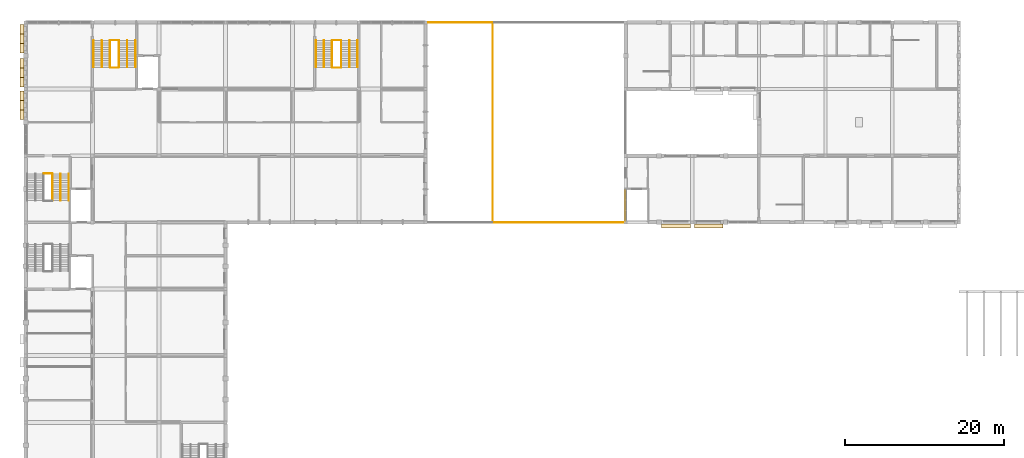
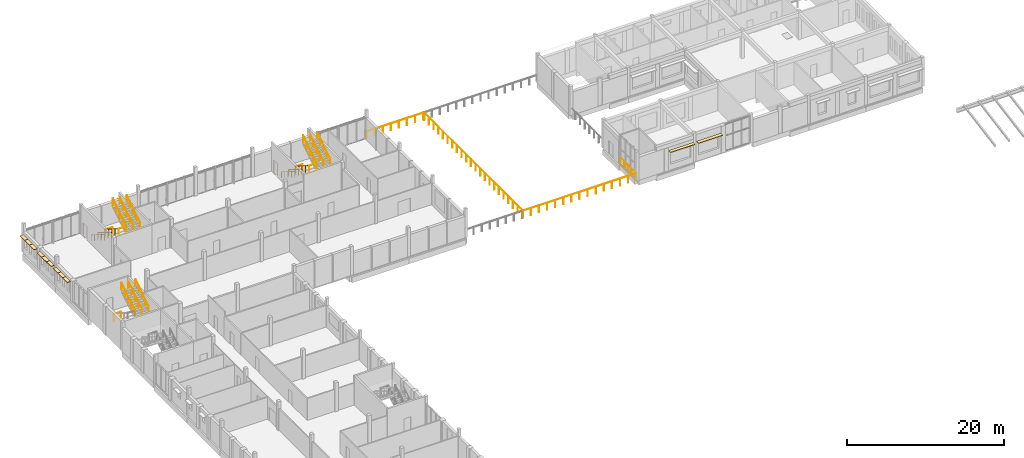
# One storey, part 29 of 30: 24 railings, 11 coverings.
"""IFC4 building model written with IfcOpenShell, lengths in metres."""

import ifcopenshell
import ifcopenshell.guid

model = None  # the IFC model being written
_history = None  # IfcOwnerHistory: only IFC2X3 demands one
_inside = {}  # id of a spatial element -> (the spatial element, [elements in it])
_under = {}  # id of a project, library or spatial element -> (it, [spatial elements below it])
_declared = {}  # id of a project -> (the project, [libraries it declares])
_typed = {}  # id of a type object -> (the type object, [elements of that type])
_made_of = {}  # id of a material, layer set ... -> (it, [elements and type objects made of it])


def new_model(schema):
    """Start an empty IFC model of exactly this schema.

    Asked for "IFC4X3", IfcOpenShell would pick the latest addendum, in which some entities
    have other attributes; the version numbers below select the first issue.
    IFC2X3 requires an IfcOwnerHistory on every rooted entity: one is made here for all.
    """
    global model, _history
    if schema == "IFC4X3":
        model = ifcopenshell.file(schema_version=(4, 3, 0, 0))
    else:
        model = ifcopenshell.file(schema=schema)
    _inside.clear()
    _under.clear()
    _declared.clear()
    _typed.clear()
    _made_of.clear()
    _history = None
    if model.schema == "IFC2X3":
        org = make("IfcOrganization", Name="unknown")
        user = make(
            "IfcPersonAndOrganization",
            ThePerson=make("IfcPerson", FamilyName="unknown"),
            TheOrganization=org,
        )
        app = make(
            "IfcApplication",
            ApplicationDeveloper=org,
            Version="unknown",
            ApplicationFullName="unknown",
            ApplicationIdentifier="unknown",
        )
        _history = make(
            "IfcOwnerHistory",
            OwningUser=user,
            OwningApplication=app,
            ChangeAction="ADDED",
            CreationDate=0,
        )
    return model


def make(cls, **values):
    """One entity of the class cls with the attributes given. An attribute that is None is left unset."""
    return model.create_entity(
        cls, **{name: value for name, value in values.items() if value is not None}
    )


def rooted(cls, **values):
    """An entity with a GlobalId (a new one), such as an element, a storey or a relation."""
    return make(cls, GlobalId=ifcopenshell.guid.new(), OwnerHistory=_history, **values)


def si_unit(unit_type, name, prefix=None):
    """IfcSIUnit, for example si_unit("LENGTHUNIT", "METRE", prefix="MILLI")."""
    return make("IfcSIUnit", UnitType=unit_type, Prefix=prefix, Name=name)


def assignment(units):
    """IfcUnitAssignment: the units of a project."""
    return None if units is None else make("IfcUnitAssignment", Units=units)


def point(xyz):
    """IfcCartesianPoint."""
    return None if xyz is None else make("IfcCartesianPoint", Coordinates=xyz)


def direction(xyz):
    """IfcDirection."""
    return None if xyz is None else make("IfcDirection", DirectionRatios=xyz)


def frame(location, z_axis=None, x_axis=None):
    """IfcAxis2Placement3D, a coordinate frame: its origin and axes. An axis left out is left unset."""
    return make(
        "IfcAxis2Placement3D",
        Location=point(location),
        Axis=direction(z_axis),
        RefDirection=direction(x_axis),
    )


def frame_2d(location, x_axis=None):
    """IfcAxis2Placement2D, a coordinate frame in the plane: its origin and x axis."""
    return make(
        "IfcAxis2Placement2D", Location=point(location), RefDirection=direction(x_axis)
    )


def origin():
    """The frame at (0, 0, 0) with its axes left unset."""
    return frame((0.0, 0.0, 0.0))


def origin_2d():
    """The frame at (0, 0) in the plane with its x axis left unset."""
    return frame_2d((0.0, 0.0))


def place(relative_to, where):
    """IfcLocalPlacement: puts the frame where relative to a parent placement (None: the world)."""
    return make(
        "IfcLocalPlacement", PlacementRelTo=relative_to, RelativePlacement=where
    )


def context(
    kind, dimensions, precision=None, world=None, true_north=None, identifier=None
):
    """IfcGeometricRepresentationContext, for example the 3D "Model" context."""
    return make(
        "IfcGeometricRepresentationContext",
        ContextIdentifier=identifier,
        ContextType=kind,
        CoordinateSpaceDimension=dimensions,
        Precision=precision,
        WorldCoordinateSystem=world,
        TrueNorth=true_north,
    )


def subcontext(parent, identifier, kind, view, scale=None):
    """IfcGeometricRepresentationSubContext, for example "Body" below "Model"."""
    return make(
        "IfcGeometricRepresentationSubContext",
        ContextIdentifier=identifier,
        ContextType=kind,
        ParentContext=parent,
        TargetScale=scale,
        TargetView=view,
    )


def project(units=None, contexts=None):
    """IfcProject with its units and contexts."""
    return rooted(
        "IfcProject",
        Name="project",
        RepresentationContexts=contexts,
        UnitsInContext=assignment(units),
    )


def spatial(cls, under=None, at=None, **own):
    """A site, building, storey or space (cls), placed at a placement, below another one or the project."""
    s = rooted(cls, ObjectPlacement=at, **own)
    if under is not None:
        _under.setdefault(under.id(), (under, []))[1].append(s)
    return s


def profile(cls, at=None, kind="AREA", **sizes):
    """A parametric profile (cls). Its sizes go by their IFC names, for example OverallWidth=200.0."""
    return make(cls, ProfileType=kind, Position=at, **sizes)


def rectangle(**sizes):
    """IfcRectangleProfileDef."""
    return profile("IfcRectangleProfileDef", **sizes)


def circle(**sizes):
    """IfcCircleProfileDef."""
    return profile("IfcCircleProfileDef", **sizes)


def extrude(swept, where, along, depth):
    """IfcExtrudedAreaSolid: the profile swept, set in the frame where, extruded along a direction by depth."""
    return make(
        "IfcExtrudedAreaSolid",
        SweptArea=swept,
        Position=where,
        ExtrudedDirection=direction(along),
        Depth=depth,
    )


def shape(context_of_items, identifier, shape_type, items):
    """IfcShapeRepresentation: the items that make up one representation, for example the "Body"."""
    return make(
        "IfcShapeRepresentation",
        ContextOfItems=context_of_items,
        RepresentationIdentifier=identifier,
        RepresentationType=shape_type,
        Items=items,
    )


def material(Name=None, Category=None):
    """IfcMaterial."""
    return make("IfcMaterial", Name=Name, Category=Category)


def layer(
    of_material, thickness, ventilated=None, Name=None, Category=None, Priority=None
):
    """IfcMaterialLayer: one layer of a wall or slab, of a material (None: an air gap)."""
    return make(
        "IfcMaterialLayer",
        Material=of_material,
        LayerThickness=thickness,
        IsVentilated=ventilated,
        Name=Name,
        Category=Category,
        Priority=Priority,
    )


def layer_set(layers, Name=None):
    """IfcMaterialLayerSet."""
    return make("IfcMaterialLayerSet", MaterialLayers=layers, LayerSetName=Name)


def made_of(thing, what):
    """Note that an element or type object is made of a material, layer set ...; save() writes the relation."""
    if what is not None:
        _made_of.setdefault(what.id(), (what, []))[1].append(thing)
    return thing


def type_object(cls, material=None, **own):
    """A type object (cls), such as IfcWallType, which elements share."""
    return made_of(rooted(cls, **own), material)


def element(
    cls,
    number,
    at=None,
    inside=None,
    cuts=None,
    type_object=None,
    material=None,
    context=None,
    identifier="Body",
    shape_type=None,
    held_by="IfcProductDefinitionShape",
    body=None,
    shapes=None,
    **own,
):
    """One element of the class cls, such as IfcWall. Its Tag is "e" and its number.

    at: its placement. inside: the storey or other place that contains it. cuts: it is an
    opening in that element (IfcRelVoidsElement). A single representation is given by context,
    identifier, shape_type and body (its items); several are given by shapes. held_by: the class
    of the entity that holds the representations. save() writes the other relations.
    """
    e = rooted(cls, Tag="e%d" % number, ObjectPlacement=at, **own)
    if body is not None:
        shapes = [shape(context, identifier, shape_type, body)]
    if shapes is not None:
        e.Representation = make(held_by, Representations=shapes)
    if inside is not None:
        _inside.setdefault(inside.id(), (inside, []))[1].append(e)
    if cuts is not None:
        rooted(
            "IfcRelVoidsElement", RelatingBuildingElement=cuts, RelatedOpeningElement=e
        )
    if type_object is not None:
        _typed.setdefault(type_object.id(), (type_object, []))[1].append(e)
    return made_of(e, material)


def aggregate(whole, parts):
    """IfcRelAggregates: a whole, such as a stair, and the parts it consists of."""
    return rooted("IfcRelAggregates", RelatingObject=whole, RelatedObjects=parts)


def save(model, path):
    """Write the relations noted so far, then the file.

    IfcRelAggregates (storeys below a building ...), IfcRelContainedInSpatialStructure (elements
    in a storey), IfcRelDefinesByType, IfcRelAssociatesMaterial and IfcRelDeclares: one each for
    every whole, place, type object, material and project.
    """
    for whole, parts in _under.values():
        aggregate(whole, parts)
    for where, things in _inside.values():
        rooted(
            "IfcRelContainedInSpatialStructure",
            RelatedElements=things,
            RelatingStructure=where,
        )
    for kind, things in _typed.values():
        rooted("IfcRelDefinesByType", RelatedObjects=things, RelatingType=kind)
    for what, things in _made_of.values():
        rooted("IfcRelAssociatesMaterial", RelatedObjects=things, RelatingMaterial=what)
    for by, libraries in _declared.values():
        rooted("IfcRelDeclares", RelatingContext=by, RelatedDefinitions=libraries)
    model.write(path)


model = new_model("IFC4")

# Units and contexts
model_context = context("Model", 3, precision=1e-05, world=origin(), true_north=direction((0.0, 1.0)))
body_context = subcontext(model_context, "Body", "Model", "MODEL_VIEW")
ifc_project = project(units=[si_unit("LENGTHUNIT", "METRE"), si_unit("AREAUNIT", "SQUARE_METRE"), si_unit("VOLUMEUNIT", "CUBIC_METRE"), si_unit("PLANEANGLEUNIT", "RADIAN"), si_unit("MASSUNIT", "GRAM", prefix="KILO")], contexts=[model_context])

# Site, building, storey
site_placement = place(None, origin())
site = spatial("IfcSite", under=ifc_project, at=site_placement, CompositionType="ELEMENT")
building_placement = place(site_placement, origin())
building = spatial("IfcBuilding", under=site, at=building_placement, Name="Fescue Hill Polytechnic", CompositionType="ELEMENT")
storey_placement = place(building_placement, frame((0.0, 0.0, 22.5)))
storey = spatial("IfcBuildingStorey", under=building, at=storey_placement, Name="L05", CompositionType="ELEMENT", Elevation=22.5)

# Railings
ifc_material_1 = material(Name="Steel 350W (350 MPa)", Category="steel")
railing_type_1 = type_object("IfcRailingType", Name="Guard steel posts and rail 1100", PredefinedType="GUARDRAIL", material=ifc_material_1)
railing_1_placement = place(storey_placement, frame((50.449951171875, 134.39990234375, 0.0)))
element("IfcRailing", 1, at=railing_1_placement, inside=storey, type_object=railing_type_1, Name="GU-L05-V5-2", PredefinedType="GUARDRAIL", context=body_context, shape_type="SweptSolid", body=[
    extrude(circle(Radius=0.02392578125, at=origin_2d()), frame((0.0, 0.0, 1.076171875), z_axis=(1.0, 0.0, 0.0), x_axis=(0.0, 1.0, 0.0)), (0.0, 0.0, 1.0), 8.300048828125),
    extrude(circle(Radius=0.02099609375, at=origin_2d()), origin(), (0.0, 0.0, 1.0), 1.052001953125),
    extrude(circle(Radius=0.02099609375, at=origin_2d()), frame((1.185791015625, 0.0, 0.0)), (0.0, 0.0, 1.0), 1.052001953125),
    extrude(circle(Radius=0.02099609375, at=origin_2d()), frame((2.371337890625, 0.0, 0.0)), (0.0, 0.0, 1.0), 1.052001953125),
    extrude(circle(Radius=0.02099609375, at=origin_2d()), frame((3.55712890625, 0.0, 0.0)), (0.0, 0.0, 1.0), 1.052001953125),
    extrude(circle(Radius=0.02099609375, at=origin_2d()), frame((4.742919921875, 0.0, 0.0)), (0.0, 0.0, 1.0), 1.052001953125),
    extrude(circle(Radius=0.02099609375, at=origin_2d()), frame((5.9287109375, 0.0, 0.0)), (0.0, 0.0, 1.0), 1.052001953125),
    extrude(circle(Radius=0.02099609375, at=origin_2d()), frame((7.1142578125, 0.0, 0.0)), (0.0, 0.0, 1.0), 1.052001953125),
    extrude(circle(Radius=0.02099609375, at=origin_2d()), frame((8.300048828125, 0.0, 0.0)), (0.0, 0.0, 1.0), 1.052001953125),
])
railing_2_placement = place(storey_placement, frame((75.550048828125, 109.199951171875, 0.0)))
element("IfcRailing", 2, at=railing_2_placement, inside=storey, type_object=railing_type_1, Name="GU-L05-V4b-2", PredefinedType="GUARDRAIL", context=body_context, shape_type="SweptSolid", body=[
    extrude(circle(Radius=0.02392578125, at=origin_2d()), frame((0.0, 0.0, 1.076171875), z_axis=(-1.0, 0.0, 0.0), x_axis=(0.0, -1.0, 0.0)), (0.0, 0.0, 1.0), 16.699951171875),
    extrude(circle(Radius=0.02099609375, at=origin_2d()), origin(), (0.0, 0.0, 1.0), 1.052001953125),
    extrude(circle(Radius=0.02099609375, at=origin_2d()), frame((-1.19287109375, 0.0, 0.0)), (0.0, 0.0, 1.0), 1.052001953125),
    extrude(circle(Radius=0.02099609375, at=origin_2d()), frame((-2.3857421875, 0.0, 0.0)), (0.0, 0.0, 1.0), 1.052001953125),
    extrude(circle(Radius=0.02099609375, at=origin_2d()), frame((-3.57861328125, 0.0, 0.0)), (0.0, 0.0, 1.0), 1.052001953125),
    extrude(circle(Radius=0.02099609375, at=origin_2d()), frame((-4.771484375, 0.0, 0.0)), (0.0, 0.0, 1.0), 1.052001953125),
    extrude(circle(Radius=0.02099609375, at=origin_2d()), frame((-5.96435546875, 0.0, 0.0)), (0.0, 0.0, 1.0), 1.052001953125),
    extrude(circle(Radius=0.02099609375, at=origin_2d()), frame((-7.1572265625, 0.0, 0.0)), (0.0, 0.0, 1.0), 1.052001953125),
    extrude(circle(Radius=0.02099609375, at=origin_2d()), frame((-8.35009765625, 0.0, 0.0)), (0.0, 0.0, 1.0), 1.052001953125),
    extrude(circle(Radius=0.02099609375, at=origin_2d()), frame((-9.542724609375, 0.0, 0.0)), (0.0, 0.0, 1.0), 1.052001953125),
    extrude(circle(Radius=0.02099609375, at=origin_2d()), frame((-10.735595703125, 0.0, 0.0)), (0.0, 0.0, 1.0), 1.052001953125),
    extrude(circle(Radius=0.02099609375, at=origin_2d()), frame((-11.928466796875, 0.0, 0.0)), (0.0, 0.0, 1.0), 1.052001953125),
    extrude(circle(Radius=0.02099609375, at=origin_2d()), frame((-13.121337890625, 0.0, 0.0)), (0.0, 0.0, 1.0), 1.052001953125),
    extrude(circle(Radius=0.02099609375, at=origin_2d()), frame((-14.314208984375, 0.0, 0.0)), (0.0, 0.0, 1.0), 1.052001953125),
    extrude(circle(Radius=0.02099609375, at=origin_2d()), frame((-15.507080078125, 0.0, 0.0)), (0.0, 0.0, 1.0), 1.052001953125),
    extrude(circle(Radius=0.02099609375, at=origin_2d()), frame((-16.699951171875, 0.0, 0.0)), (0.0, 0.0, 1.0), 1.052001953125),
])

# Coverings
ifc_material_2 = material(Name="Precast concrete C40/50", Category="concrete")
ifc_layer = layer(ifc_material_2, 0.080078125)
ifc_layer_set = layer_set([ifc_layer], Name="Precast concrete C40/50")
covering_type = type_object("IfcCoveringType", Name="Shade blade precast 500x80", PredefinedType="CLADDING", material=ifc_layer_set)
for number, where, z_axis, x_axis, name in (
    (3, (-0.4599609375, 133.550048828125, 2.849853515625), (0.0, 0.0, 1.0), (0.0, -1.0, 0.0), "SB-L05-V5-1"),
    (4, (-0.4599609375, 132.35009765625, 2.849853515625), (0.0, 0.0, 1.0), (0.0, -1.0, 0.0), "SB-L05-V5-2"),
    (5, (-0.4599609375, 131.14990234375, 2.849853515625), (0.0, 0.0, 1.0), (0.0, -1.0, 0.0), "SB-L05-V5-3"),
    (6, (-0.4599609375, 129.25, 2.849853515625), (0.0, 0.0, 1.0), (0.0, -1.0, 0.0), "SB-L05-V5-4"),
    (7, (-0.4599609375, 128.050048828125, 2.849853515625), (0.0, 0.0, 1.0), (0.0, -1.0, 0.0), "SB-L05-V5-5"),
    (8, (-0.4599609375, 126.85009765625, 2.849853515625), (0.0, 0.0, 1.0), (0.0, -1.0, 0.0), "SB-L05-V5-6"),
    (9, (-0.4599609375, 125.14990234375, 2.849853515625), (0.0, 0.0, 1.0), (0.0, -1.0, 0.0), "SB-L05-V5-7"),
    (10, (-0.4599609375, 123.949951171875, 2.849853515625), (0.0, 0.0, 1.0), (0.0, -1.0, 0.0), "SB-L05-V5-8"),
    (11, (-0.4599609375, 122.75, 2.849853515625), (0.0, 0.0, 1.0), (0.0, -1.0, 0.0), "SB-L05-V5-9"),
):
    element("IfcCovering", number, at=place(storey_placement, frame(where, z_axis=z_axis, x_axis=x_axis)), inside=storey, type_object=covering_type, Name=name, PredefinedType="CLADDING", context=body_context, shape_type="SweptSolid", body=[
        extrude(rectangle(XDim=1.199951171875, YDim=0.5, at=origin_2d()), origin(), (0.0, 0.0, 1.0), 0.080078125),
    ])
for number, where, z_axis, x_axis, name in (
    (12, (81.949951171875, 108.72509765625, 3.050048828125), (0.0, 0.0, 1.0), (1.0, 0.0, 0.0), "SB-L05-V4b-4"),
    (13, (86.050048828125, 108.72509765625, 3.050048828125), (0.0, 0.0, 1.0), (1.0, 0.0, 0.0), "SB-L05-V4b-5"),
):
    element("IfcCovering", number, at=place(storey_placement, frame(where, z_axis=z_axis, x_axis=x_axis)), inside=storey, type_object=covering_type, Name=name, PredefinedType="CLADDING", context=body_context, shape_type="SweptSolid", body=[
        extrude(rectangle(XDim=3.60009765625, YDim=0.5, at=origin_2d()), origin(), (0.0, 0.0, 1.0), 0.080078125),
    ])

# Railings
railing_type_2 = type_object("IfcRailingType", Name="Stair guard steel 1100", PredefinedType="GUARDRAIL", material=ifc_material_1)
railing_3_placement = place(storey_placement, frame((3.375, 111.965087890625, 2.423095703125)))
element("IfcRailing", 14, at=railing_3_placement, inside=storey, type_object=railing_type_2, Name="L05 ST-V5-1 stair guard 3", PredefinedType="GUARDRAIL", context=body_context, shape_type="SweptSolid", body=[
    extrude(circle(Radius=0.02392578125, at=origin_2d()), frame((0.0, 0.0, 1.076171875), z_axis=(0.0, 0.850606129759, 0.525803396734), x_axis=(-1.0, 0.0, 0.0)), (0.0, 0.0, 1.0), 3.949951171875),
    extrude(circle(Radius=0.02099609375, at=origin_2d()), origin(), (0.0, 0.0, 1.0), 1.052001953125),
    extrude(circle(Radius=0.02099609375, at=origin_2d()), frame((0.0, 0.83984375, 0.519287109375)), (0.0, 0.0, 1.0), 1.052001953125),
    extrude(circle(Radius=0.02099609375, at=origin_2d()), frame((0.0, 1.679931640625, 1.03857421875)), (0.0, 0.0, 1.0), 1.052001953125),
    extrude(circle(Radius=0.02099609375, at=origin_2d()), frame((0.0, 2.52001953125, 1.5576171875)), (0.0, 0.0, 1.0), 1.052001953125),
    extrude(circle(Radius=0.02099609375, at=origin_2d()), frame((0.0, 3.35986328125, 2.076904296875)), (0.0, 0.0, 1.0), 1.052001953125),
])
railing_4_placement = place(storey_placement, frame((2.300048828125, 115.375, 0.0)))
element("IfcRailing", 15, at=railing_4_placement, inside=storey, type_object=railing_type_2, Name="L05 ST-V5-1 stair guard 4", PredefinedType="GUARDRAIL", context=body_context, shape_type="SweptSolid", body=[
    extrude(circle(Radius=0.02392578125, at=origin_2d()), frame((0.0, 0.0, 1.076171875), z_axis=(1.0, 0.0, 0.0), x_axis=(0.0, 1.0, 0.0)), (0.0, 0.0, 1.0), 1.02490234375),
    extrude(circle(Radius=0.02099609375, at=origin_2d()), origin(), (0.0, 0.0, 1.0), 1.052001953125),
    extrude(circle(Radius=0.02099609375, at=origin_2d()), frame((1.02490234375, 0.0, 0.0)), (0.0, 0.0, 1.0), 1.052001953125),
])
railing_5_placement = place(storey_placement, frame((38.625, 132.10009765625, 0.173095703125)))
element("IfcRailing", 16, at=railing_5_placement, inside=storey, type_object=railing_type_2, Name="L05 ST-V5-2 stair guard 1", PredefinedType="GUARDRAIL", context=body_context, shape_type="SweptSolid", body=[
    extrude(circle(Radius=0.02392578125, at=origin_2d()), frame((0.0, 0.0, 1.076171875), z_axis=(0.0, -0.850623216509, 0.525775754039), x_axis=(1.0, 0.0, 0.0)), (0.0, 0.0, 1.0), 3.9501953125),
    extrude(circle(Radius=0.02099609375, at=origin_2d()), origin(), (0.0, 0.0, 1.0), 1.052001953125),
    extrude(circle(Radius=0.02099609375, at=origin_2d()), frame((0.0, -0.840087890625, 0.519287109375)), (0.0, 0.0, 1.0), 1.052001953125),
    extrude(circle(Radius=0.02099609375, at=origin_2d()), frame((0.0, -1.68017578125, 1.03857421875)), (0.0, 0.0, 1.0), 1.052001953125),
    extrude(circle(Radius=0.02099609375, at=origin_2d()), frame((0.0, -2.52001953125, 1.5576171875)), (0.0, 0.0, 1.0), 1.052001953125),
    extrude(circle(Radius=0.02099609375, at=origin_2d()), frame((0.0, -3.360107421875, 2.076904296875)), (0.0, 0.0, 1.0), 1.052001953125),
])
railing_6_placement = place(storey_placement, frame((38.675048828125, 128.68994140625, 2.25)))
element("IfcRailing", 17, at=railing_6_placement, inside=storey, type_object=railing_type_2, Name="L05 ST-V5-2 stair guard 2", PredefinedType="GUARDRAIL", context=body_context, shape_type="SweptSolid", body=[
    extrude(circle(Radius=0.02392578125, at=origin_2d()), frame((0.0, 0.0, 1.076171875), z_axis=(1.0, 0.0, 0.0), x_axis=(0.0, 1.0, 0.0)), (0.0, 0.0, 1.0), 1.050048828125),
    extrude(circle(Radius=0.02099609375, at=origin_2d()), origin(), (0.0, 0.0, 1.0), 1.052001953125),
    extrude(circle(Radius=0.02099609375, at=origin_2d()), frame((1.050048828125, 0.0, 0.0)), (0.0, 0.0, 1.0), 1.052001953125),
])
railing_7_placement = place(storey_placement, frame((39.77490234375, 128.739990234375, 2.423095703125)))
element("IfcRailing", 18, at=railing_7_placement, inside=storey, type_object=railing_type_2, Name="L05 ST-V5-2 stair guard 3", PredefinedType="GUARDRAIL", context=body_context, shape_type="SweptSolid", body=[
    extrude(circle(Radius=0.02392578125, at=origin_2d()), frame((0.0, 0.0, 1.076171875), z_axis=(0.0, 0.850623216509, 0.525775754039), x_axis=(-1.0, 0.0, 0.0)), (0.0, 0.0, 1.0), 3.9501953125),
    extrude(circle(Radius=0.02099609375, at=origin_2d()), origin(), (0.0, 0.0, 1.0), 1.052001953125),
    extrude(circle(Radius=0.02099609375, at=origin_2d()), frame((0.0, 0.840087890625, 0.519287109375)), (0.0, 0.0, 1.0), 1.052001953125),
    extrude(circle(Radius=0.02099609375, at=origin_2d()), frame((0.0, 1.68017578125, 1.03857421875)), (0.0, 0.0, 1.0), 1.052001953125),
    extrude(circle(Radius=0.02099609375, at=origin_2d()), frame((0.0, 2.52001953125, 1.5576171875)), (0.0, 0.0, 1.0), 1.052001953125),
    extrude(circle(Radius=0.02099609375, at=origin_2d()), frame((0.0, 3.360107421875, 2.076904296875)), (0.0, 0.0, 1.0), 1.052001953125),
])
railing_8_placement = place(storey_placement, frame((38.675048828125, 132.14990234375, 0.0)))
element("IfcRailing", 19, at=railing_8_placement, inside=storey, type_object=railing_type_2, Name="L05 ST-V5-2 stair guard 4", PredefinedType="GUARDRAIL", context=body_context, shape_type="SweptSolid", body=[
    extrude(circle(Radius=0.02392578125, at=origin_2d()), frame((0.0, 0.0, 1.076171875), z_axis=(1.0, 0.0, 0.0), x_axis=(0.0, 1.0, 0.0)), (0.0, 0.0, 1.0), 1.050048828125),
    extrude(circle(Radius=0.02099609375, at=origin_2d()), origin(), (0.0, 0.0, 1.0), 1.052001953125),
    extrude(circle(Radius=0.02099609375, at=origin_2d()), frame((1.050048828125, 0.0, 0.0)), (0.0, 0.0, 1.0), 1.052001953125),
])
railing_9_placement = place(storey_placement, frame((10.625, 132.10009765625, 0.173095703125)))
element("IfcRailing", 20, at=railing_9_placement, inside=storey, type_object=railing_type_2, Name="L05 ST-V5-3 stair guard 1", PredefinedType="GUARDRAIL", context=body_context, shape_type="SweptSolid", body=[
    extrude(circle(Radius=0.02392578125, at=origin_2d()), frame((0.0, 0.0, 1.076171875), z_axis=(0.0, -0.850623216509, 0.525775754039), x_axis=(1.0, 0.0, 0.0)), (0.0, 0.0, 1.0), 3.9501953125),
    extrude(circle(Radius=0.02099609375, at=origin_2d()), origin(), (0.0, 0.0, 1.0), 1.052001953125),
    extrude(circle(Radius=0.02099609375, at=origin_2d()), frame((0.0, -0.840087890625, 0.519287109375)), (0.0, 0.0, 1.0), 1.052001953125),
    extrude(circle(Radius=0.02099609375, at=origin_2d()), frame((0.0, -1.68017578125, 1.03857421875)), (0.0, 0.0, 1.0), 1.052001953125),
    extrude(circle(Radius=0.02099609375, at=origin_2d()), frame((0.0, -2.52001953125, 1.5576171875)), (0.0, 0.0, 1.0), 1.052001953125),
    extrude(circle(Radius=0.02099609375, at=origin_2d()), frame((0.0, -3.360107421875, 2.076904296875)), (0.0, 0.0, 1.0), 1.052001953125),
])
railing_10_placement = place(storey_placement, frame((10.675048828125, 128.68994140625, 2.25)))
element("IfcRailing", 21, at=railing_10_placement, inside=storey, type_object=railing_type_2, Name="L05 ST-V5-3 stair guard 2", PredefinedType="GUARDRAIL", context=body_context, shape_type="SweptSolid", body=[
    extrude(circle(Radius=0.02392578125, at=origin_2d()), frame((0.0, 0.0, 1.076171875), z_axis=(1.0, 0.0, 0.0), x_axis=(0.0, 1.0, 0.0)), (0.0, 0.0, 1.0), 1.050048828125),
    extrude(circle(Radius=0.02099609375, at=origin_2d()), origin(), (0.0, 0.0, 1.0), 1.052001953125),
    extrude(circle(Radius=0.02099609375, at=origin_2d()), frame((1.050048828125, 0.0, 0.0)), (0.0, 0.0, 1.0), 1.052001953125),
])
railing_11_placement = place(storey_placement, frame((11.77490234375, 128.739990234375, 2.423095703125)))
element("IfcRailing", 22, at=railing_11_placement, inside=storey, type_object=railing_type_2, Name="L05 ST-V5-3 stair guard 3", PredefinedType="GUARDRAIL", context=body_context, shape_type="SweptSolid", body=[
    extrude(circle(Radius=0.02392578125, at=origin_2d()), frame((0.0, 0.0, 1.076171875), z_axis=(0.0, 0.850623216509, 0.525775754039), x_axis=(-1.0, 0.0, 0.0)), (0.0, 0.0, 1.0), 3.9501953125),
    extrude(circle(Radius=0.02099609375, at=origin_2d()), origin(), (0.0, 0.0, 1.0), 1.052001953125),
    extrude(circle(Radius=0.02099609375, at=origin_2d()), frame((0.0, 0.840087890625, 0.519287109375)), (0.0, 0.0, 1.0), 1.052001953125),
    extrude(circle(Radius=0.02099609375, at=origin_2d()), frame((0.0, 1.68017578125, 1.03857421875)), (0.0, 0.0, 1.0), 1.052001953125),
    extrude(circle(Radius=0.02099609375, at=origin_2d()), frame((0.0, 2.52001953125, 1.5576171875)), (0.0, 0.0, 1.0), 1.052001953125),
    extrude(circle(Radius=0.02099609375, at=origin_2d()), frame((0.0, 3.360107421875, 2.076904296875)), (0.0, 0.0, 1.0), 1.052001953125),
])
railing_12_placement = place(storey_placement, frame((10.675048828125, 132.14990234375, 0.0)))
element("IfcRailing", 23, at=railing_12_placement, inside=storey, type_object=railing_type_2, Name="L05 ST-V5-3 stair guard 4", PredefinedType="GUARDRAIL", context=body_context, shape_type="SweptSolid", body=[
    extrude(circle(Radius=0.02392578125, at=origin_2d()), frame((0.0, 0.0, 1.076171875), z_axis=(1.0, 0.0, 0.0), x_axis=(0.0, 1.0, 0.0)), (0.0, 0.0, 1.0), 1.050048828125),
    extrude(circle(Radius=0.02099609375, at=origin_2d()), origin(), (0.0, 0.0, 1.0), 1.052001953125),
    extrude(circle(Radius=0.02099609375, at=origin_2d()), frame((1.050048828125, 0.0, 0.0)), (0.0, 0.0, 1.0), 1.052001953125),
])
railing_type_3 = type_object("IfcRailingType", Name="Stair handrail steel 900", PredefinedType="HANDRAIL", material=ifc_material_1)
for number, where, name in (
    (24, (5.425048828125, 111.965087890625, 2.423095703125), "L05 ST-V5-1 stair handrail 2"),
    (25, (4.39990234375, 111.965087890625, 2.423095703125), "L05 ST-V5-1 stair handrail 4"),
):
    element("IfcRailing", number, at=place(storey_placement, frame(where)), inside=storey, type_object=railing_type_3, Name=name, PredefinedType="HANDRAIL", context=body_context, shape_type="SweptSolid", body=[
        extrude(circle(Radius=0.02392578125, at=origin_2d()), frame((0.0, 0.0, 0.8759765625), z_axis=(0.0, 0.850606129759, 0.525803396734), x_axis=(-1.0, 0.0, 0.0)), (0.0, 0.0, 1.0), 3.949951171875),
        extrude(circle(Radius=0.02099609375, at=origin_2d()), origin(), (0.0, 0.0, 1.0), 0.851806640625),
        extrude(circle(Radius=0.02099609375, at=origin_2d()), frame((0.0, 0.83984375, 0.519287109375)), (0.0, 0.0, 1.0), 0.851806640625),
        extrude(circle(Radius=0.02099609375, at=origin_2d()), frame((0.0, 1.679931640625, 1.03857421875)), (0.0, 0.0, 1.0), 0.851806640625),
        extrude(circle(Radius=0.02099609375, at=origin_2d()), frame((0.0, 2.52001953125, 1.5576171875)), (0.0, 0.0, 1.0), 0.851806640625),
        extrude(circle(Radius=0.02099609375, at=origin_2d()), frame((0.0, 3.35986328125, 2.076904296875)), (0.0, 0.0, 1.0), 0.851806640625),
    ])
railing_13_placement = place(storey_placement, frame((36.574951171875, 132.10009765625, 0.173095703125)))
element("IfcRailing", 26, at=railing_13_placement, inside=storey, type_object=railing_type_3, Name="L05 ST-V5-2 stair handrail 1", PredefinedType="HANDRAIL", context=body_context, shape_type="SweptSolid", body=[
    extrude(circle(Radius=0.02392578125, at=origin_2d()), frame((0.0, 0.0, 0.8759765625), z_axis=(0.0, -0.850623216509, 0.525775754039), x_axis=(1.0, 0.0, 0.0)), (0.0, 0.0, 1.0), 3.9501953125),
    extrude(circle(Radius=0.02099609375, at=origin_2d()), origin(), (0.0, 0.0, 1.0), 0.851806640625),
    extrude(circle(Radius=0.02099609375, at=origin_2d()), frame((0.0, -0.840087890625, 0.519287109375)), (0.0, 0.0, 1.0), 0.851806640625),
    extrude(circle(Radius=0.02099609375, at=origin_2d()), frame((0.0, -1.68017578125, 1.03857421875)), (0.0, 0.0, 1.0), 0.851806640625),
    extrude(circle(Radius=0.02099609375, at=origin_2d()), frame((0.0, -2.52001953125, 1.5576171875)), (0.0, 0.0, 1.0), 0.851806640625),
    extrude(circle(Radius=0.02099609375, at=origin_2d()), frame((0.0, -3.360107421875, 2.076904296875)), (0.0, 0.0, 1.0), 0.851806640625),
])
railing_14_placement = place(storey_placement, frame((41.824951171875, 128.739990234375, 2.423095703125)))
element("IfcRailing", 27, at=railing_14_placement, inside=storey, type_object=railing_type_3, Name="L05 ST-V5-2 stair handrail 2", PredefinedType="HANDRAIL", context=body_context, shape_type="SweptSolid", body=[
    extrude(circle(Radius=0.02392578125, at=origin_2d()), frame((0.0, 0.0, 0.8759765625), z_axis=(0.0, 0.850623216509, 0.525775754039), x_axis=(-1.0, 0.0, 0.0)), (0.0, 0.0, 1.0), 3.9501953125),
    extrude(circle(Radius=0.02099609375, at=origin_2d()), origin(), (0.0, 0.0, 1.0), 0.851806640625),
    extrude(circle(Radius=0.02099609375, at=origin_2d()), frame((0.0, 0.840087890625, 0.519287109375)), (0.0, 0.0, 1.0), 0.851806640625),
    extrude(circle(Radius=0.02099609375, at=origin_2d()), frame((0.0, 1.68017578125, 1.03857421875)), (0.0, 0.0, 1.0), 0.851806640625),
    extrude(circle(Radius=0.02099609375, at=origin_2d()), frame((0.0, 2.52001953125, 1.5576171875)), (0.0, 0.0, 1.0), 0.851806640625),
    extrude(circle(Radius=0.02099609375, at=origin_2d()), frame((0.0, 3.360107421875, 2.076904296875)), (0.0, 0.0, 1.0), 0.851806640625),
])
railing_15_placement = place(storey_placement, frame((37.60009765625, 132.10009765625, 0.173095703125)))
element("IfcRailing", 28, at=railing_15_placement, inside=storey, type_object=railing_type_3, Name="L05 ST-V5-2 stair handrail 3", PredefinedType="HANDRAIL", context=body_context, shape_type="SweptSolid", body=[
    extrude(circle(Radius=0.02392578125, at=origin_2d()), frame((0.0, 0.0, 0.8759765625), z_axis=(0.0, -0.850623216509, 0.525775754039), x_axis=(1.0, 0.0, 0.0)), (0.0, 0.0, 1.0), 3.9501953125),
    extrude(circle(Radius=0.02099609375, at=origin_2d()), origin(), (0.0, 0.0, 1.0), 0.851806640625),
    extrude(circle(Radius=0.02099609375, at=origin_2d()), frame((0.0, -0.840087890625, 0.519287109375)), (0.0, 0.0, 1.0), 0.851806640625),
    extrude(circle(Radius=0.02099609375, at=origin_2d()), frame((0.0, -1.68017578125, 1.03857421875)), (0.0, 0.0, 1.0), 0.851806640625),
    extrude(circle(Radius=0.02099609375, at=origin_2d()), frame((0.0, -2.52001953125, 1.5576171875)), (0.0, 0.0, 1.0), 0.851806640625),
    extrude(circle(Radius=0.02099609375, at=origin_2d()), frame((0.0, -3.360107421875, 2.076904296875)), (0.0, 0.0, 1.0), 0.851806640625),
])
railing_16_placement = place(storey_placement, frame((40.800048828125, 128.739990234375, 2.423095703125)))
element("IfcRailing", 29, at=railing_16_placement, inside=storey, type_object=railing_type_3, Name="L05 ST-V5-2 stair handrail 4", PredefinedType="HANDRAIL", context=body_context, shape_type="SweptSolid", body=[
    extrude(circle(Radius=0.02392578125, at=origin_2d()), frame((0.0, 0.0, 0.8759765625), z_axis=(0.0, 0.850623216509, 0.525775754039), x_axis=(-1.0, 0.0, 0.0)), (0.0, 0.0, 1.0), 3.9501953125),
    extrude(circle(Radius=0.02099609375, at=origin_2d()), origin(), (0.0, 0.0, 1.0), 0.851806640625),
    extrude(circle(Radius=0.02099609375, at=origin_2d()), frame((0.0, 0.840087890625, 0.519287109375)), (0.0, 0.0, 1.0), 0.851806640625),
    extrude(circle(Radius=0.02099609375, at=origin_2d()), frame((0.0, 1.68017578125, 1.03857421875)), (0.0, 0.0, 1.0), 0.851806640625),
    extrude(circle(Radius=0.02099609375, at=origin_2d()), frame((0.0, 2.52001953125, 1.5576171875)), (0.0, 0.0, 1.0), 0.851806640625),
    extrude(circle(Radius=0.02099609375, at=origin_2d()), frame((0.0, 3.360107421875, 2.076904296875)), (0.0, 0.0, 1.0), 0.851806640625),
])
railing_17_placement = place(storey_placement, frame((8.574951171875, 132.10009765625, 0.173095703125)))
element("IfcRailing", 30, at=railing_17_placement, inside=storey, type_object=railing_type_3, Name="L05 ST-V5-3 stair handrail 1", PredefinedType="HANDRAIL", context=body_context, shape_type="SweptSolid", body=[
    extrude(circle(Radius=0.02392578125, at=origin_2d()), frame((0.0, 0.0, 0.8759765625), z_axis=(0.0, -0.850623216509, 0.525775754039), x_axis=(1.0, 0.0, 0.0)), (0.0, 0.0, 1.0), 3.9501953125),
    extrude(circle(Radius=0.02099609375, at=origin_2d()), origin(), (0.0, 0.0, 1.0), 0.851806640625),
    extrude(circle(Radius=0.02099609375, at=origin_2d()), frame((0.0, -0.840087890625, 0.519287109375)), (0.0, 0.0, 1.0), 0.851806640625),
    extrude(circle(Radius=0.02099609375, at=origin_2d()), frame((0.0, -1.68017578125, 1.03857421875)), (0.0, 0.0, 1.0), 0.851806640625),
    extrude(circle(Radius=0.02099609375, at=origin_2d()), frame((0.0, -2.52001953125, 1.5576171875)), (0.0, 0.0, 1.0), 0.851806640625),
    extrude(circle(Radius=0.02099609375, at=origin_2d()), frame((0.0, -3.360107421875, 2.076904296875)), (0.0, 0.0, 1.0), 0.851806640625),
])
railing_18_placement = place(storey_placement, frame((13.824951171875, 128.739990234375, 2.423095703125)))
element("IfcRailing", 31, at=railing_18_placement, inside=storey, type_object=railing_type_3, Name="L05 ST-V5-3 stair handrail 2", PredefinedType="HANDRAIL", context=body_context, shape_type="SweptSolid", body=[
    extrude(circle(Radius=0.02392578125, at=origin_2d()), frame((0.0, 0.0, 0.8759765625), z_axis=(0.0, 0.850623216509, 0.525775754039), x_axis=(-1.0, 0.0, 0.0)), (0.0, 0.0, 1.0), 3.9501953125),
    extrude(circle(Radius=0.02099609375, at=origin_2d()), origin(), (0.0, 0.0, 1.0), 0.851806640625),
    extrude(circle(Radius=0.02099609375, at=origin_2d()), frame((0.0, 0.840087890625, 0.519287109375)), (0.0, 0.0, 1.0), 0.851806640625),
    extrude(circle(Radius=0.02099609375, at=origin_2d()), frame((0.0, 1.68017578125, 1.03857421875)), (0.0, 0.0, 1.0), 0.851806640625),
    extrude(circle(Radius=0.02099609375, at=origin_2d()), frame((0.0, 2.52001953125, 1.5576171875)), (0.0, 0.0, 1.0), 0.851806640625),
    extrude(circle(Radius=0.02099609375, at=origin_2d()), frame((0.0, 3.360107421875, 2.076904296875)), (0.0, 0.0, 1.0), 0.851806640625),
])
railing_19_placement = place(storey_placement, frame((9.60009765625, 132.10009765625, 0.173095703125)))
element("IfcRailing", 32, at=railing_19_placement, inside=storey, type_object=railing_type_3, Name="L05 ST-V5-3 stair handrail 3", PredefinedType="HANDRAIL", context=body_context, shape_type="SweptSolid", body=[
    extrude(circle(Radius=0.02392578125, at=origin_2d()), frame((0.0, 0.0, 0.8759765625), z_axis=(0.0, -0.850623216509, 0.525775754039), x_axis=(1.0, 0.0, 0.0)), (0.0, 0.0, 1.0), 3.9501953125),
    extrude(circle(Radius=0.02099609375, at=origin_2d()), origin(), (0.0, 0.0, 1.0), 0.851806640625),
    extrude(circle(Radius=0.02099609375, at=origin_2d()), frame((0.0, -0.840087890625, 0.519287109375)), (0.0, 0.0, 1.0), 0.851806640625),
    extrude(circle(Radius=0.02099609375, at=origin_2d()), frame((0.0, -1.68017578125, 1.03857421875)), (0.0, 0.0, 1.0), 0.851806640625),
    extrude(circle(Radius=0.02099609375, at=origin_2d()), frame((0.0, -2.52001953125, 1.5576171875)), (0.0, 0.0, 1.0), 0.851806640625),
    extrude(circle(Radius=0.02099609375, at=origin_2d()), frame((0.0, -3.360107421875, 2.076904296875)), (0.0, 0.0, 1.0), 0.851806640625),
])
railing_20_placement = place(storey_placement, frame((12.800048828125, 128.739990234375, 2.423095703125)))
element("IfcRailing", 33, at=railing_20_placement, inside=storey, type_object=railing_type_3, Name="L05 ST-V5-3 stair handrail 4", PredefinedType="HANDRAIL", context=body_context, shape_type="SweptSolid", body=[
    extrude(circle(Radius=0.02392578125, at=origin_2d()), frame((0.0, 0.0, 0.8759765625), z_axis=(0.0, 0.850623216509, 0.525775754039), x_axis=(-1.0, 0.0, 0.0)), (0.0, 0.0, 1.0), 3.9501953125),
    extrude(circle(Radius=0.02099609375, at=origin_2d()), origin(), (0.0, 0.0, 1.0), 0.851806640625),
    extrude(circle(Radius=0.02099609375, at=origin_2d()), frame((0.0, 0.840087890625, 0.519287109375)), (0.0, 0.0, 1.0), 0.851806640625),
    extrude(circle(Radius=0.02099609375, at=origin_2d()), frame((0.0, 1.68017578125, 1.03857421875)), (0.0, 0.0, 1.0), 0.851806640625),
    extrude(circle(Radius=0.02099609375, at=origin_2d()), frame((0.0, 2.52001953125, 1.5576171875)), (0.0, 0.0, 1.0), 0.851806640625),
    extrude(circle(Radius=0.02099609375, at=origin_2d()), frame((0.0, 3.360107421875, 2.076904296875)), (0.0, 0.0, 1.0), 0.851806640625),
])
railing_type_4 = type_object("IfcRailingType", Name="Void edge guard steel 1100", PredefinedType="GUARDRAIL", material=ifc_material_1)
railing_21_placement = place(storey_placement, frame((75.550048828125, 113.179931640625, 0.0)))
element("IfcRailing", 34, at=railing_21_placement, inside=storey, type_object=railing_type_4, Name="RF-L04-V4b-1 terrace edge guard 1", PredefinedType="GUARDRAIL", context=body_context, shape_type="SweptSolid", body=[
    extrude(circle(Radius=0.02392578125, at=origin_2d()), frame((0.0, 0.0, 1.076171875), z_axis=(0.0, -1.0, 0.0), x_axis=(1.0, 0.0, 0.0)), (0.0, 0.0, 1.0), 3.85986328125),
    extrude(circle(Radius=0.02099609375, at=origin_2d()), origin(), (0.0, 0.0, 1.0), 1.052001953125),
    extrude(circle(Radius=0.02099609375, at=origin_2d()), frame((0.0, -0.96484375, 0.0)), (0.0, 0.0, 1.0), 1.052001953125),
    extrude(circle(Radius=0.02099609375, at=origin_2d()), frame((0.0, -1.929931640625, 0.0)), (0.0, 0.0, 1.0), 1.052001953125),
    extrude(circle(Radius=0.02099609375, at=origin_2d()), frame((0.0, -2.89501953125, 0.0)), (0.0, 0.0, 1.0), 1.052001953125),
    extrude(circle(Radius=0.02099609375, at=origin_2d()), frame((0.0, -3.85986328125, 0.0)), (0.0, 0.0, 1.0), 1.052001953125),
])
railing_22_placement = place(storey_placement, frame((58.85009765625, 109.320068359375, 0.0)))
element("IfcRailing", 35, at=railing_22_placement, inside=storey, type_object=railing_type_4, Name="RF-L04-V4b-1 terrace edge guard 2", PredefinedType="GUARDRAIL", context=body_context, shape_type="SweptSolid", body=[
    extrude(circle(Radius=0.02392578125, at=origin_2d()), frame((0.0, 0.0, 1.076171875), z_axis=(0.0, 1.0, 0.0), x_axis=(-1.0, 0.0, 0.0)), (0.0, 0.0, 1.0), 24.9599609375),
    extrude(circle(Radius=0.02099609375, at=origin_2d()), origin(), (0.0, 0.0, 1.0), 1.052001953125),
    extrude(circle(Radius=0.02099609375, at=origin_2d()), frame((0.0, 1.1884765625, 0.0)), (0.0, 0.0, 1.0), 1.052001953125),
    extrude(circle(Radius=0.02099609375, at=origin_2d()), frame((0.0, 2.377197265625, 0.0)), (0.0, 0.0, 1.0), 1.052001953125),
    extrude(circle(Radius=0.02099609375, at=origin_2d()), frame((0.0, 3.565673828125, 0.0)), (0.0, 0.0, 1.0), 1.052001953125),
    extrude(circle(Radius=0.02099609375, at=origin_2d()), frame((0.0, 4.75439453125, 0.0)), (0.0, 0.0, 1.0), 1.052001953125),
    extrude(circle(Radius=0.02099609375, at=origin_2d()), frame((0.0, 5.94287109375, 0.0)), (0.0, 0.0, 1.0), 1.052001953125),
    extrude(circle(Radius=0.02099609375, at=origin_2d()), frame((0.0, 7.13134765625, 0.0)), (0.0, 0.0, 1.0), 1.052001953125),
    extrude(circle(Radius=0.02099609375, at=origin_2d()), frame((0.0, 8.320068359375, 0.0)), (0.0, 0.0, 1.0), 1.052001953125),
    extrude(circle(Radius=0.02099609375, at=origin_2d()), frame((0.0, 9.508544921875, 0.0)), (0.0, 0.0, 1.0), 1.052001953125),
    extrude(circle(Radius=0.02099609375, at=origin_2d()), frame((0.0, 10.697021484375, 0.0)), (0.0, 0.0, 1.0), 1.052001953125),
    extrude(circle(Radius=0.02099609375, at=origin_2d()), frame((0.0, 11.8857421875, 0.0)), (0.0, 0.0, 1.0), 1.052001953125),
    extrude(circle(Radius=0.02099609375, at=origin_2d()), frame((0.0, 13.07421875, 0.0)), (0.0, 0.0, 1.0), 1.052001953125),
    extrude(circle(Radius=0.02099609375, at=origin_2d()), frame((0.0, 14.262939453125, 0.0)), (0.0, 0.0, 1.0), 1.052001953125),
    extrude(circle(Radius=0.02099609375, at=origin_2d()), frame((0.0, 15.451416015625, 0.0)), (0.0, 0.0, 1.0), 1.052001953125),
    extrude(circle(Radius=0.02099609375, at=origin_2d()), frame((0.0, 16.639892578125, 0.0)), (0.0, 0.0, 1.0), 1.052001953125),
    extrude(circle(Radius=0.02099609375, at=origin_2d()), frame((0.0, 17.82861328125, 0.0)), (0.0, 0.0, 1.0), 1.052001953125),
    extrude(circle(Radius=0.02099609375, at=origin_2d()), frame((0.0, 19.01708984375, 0.0)), (0.0, 0.0, 1.0), 1.052001953125),
    extrude(circle(Radius=0.02099609375, at=origin_2d()), frame((0.0, 20.20556640625, 0.0)), (0.0, 0.0, 1.0), 1.052001953125),
    extrude(circle(Radius=0.02099609375, at=origin_2d()), frame((0.0, 21.394287109375, 0.0)), (0.0, 0.0, 1.0), 1.052001953125),
    extrude(circle(Radius=0.02099609375, at=origin_2d()), frame((0.0, 22.582763671875, 0.0)), (0.0, 0.0, 1.0), 1.052001953125),
    extrude(circle(Radius=0.02099609375, at=origin_2d()), frame((0.0, 23.771484375, 0.0)), (0.0, 0.0, 1.0), 1.052001953125),
    extrude(circle(Radius=0.02099609375, at=origin_2d()), frame((0.0, 24.9599609375, 0.0)), (0.0, 0.0, 1.0), 1.052001953125),
])

save(model, "model.ifc")
